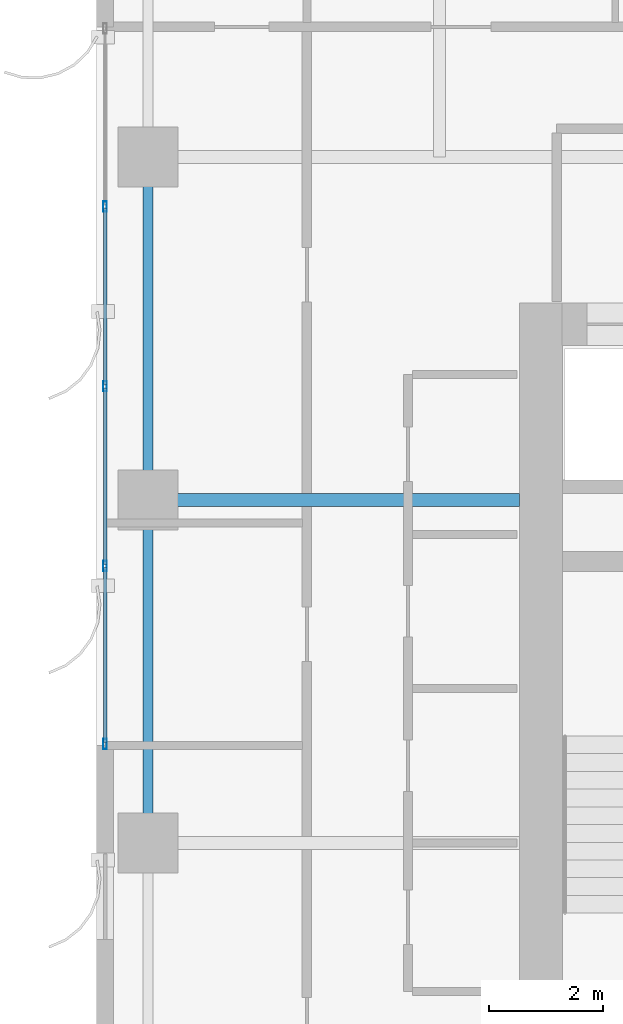
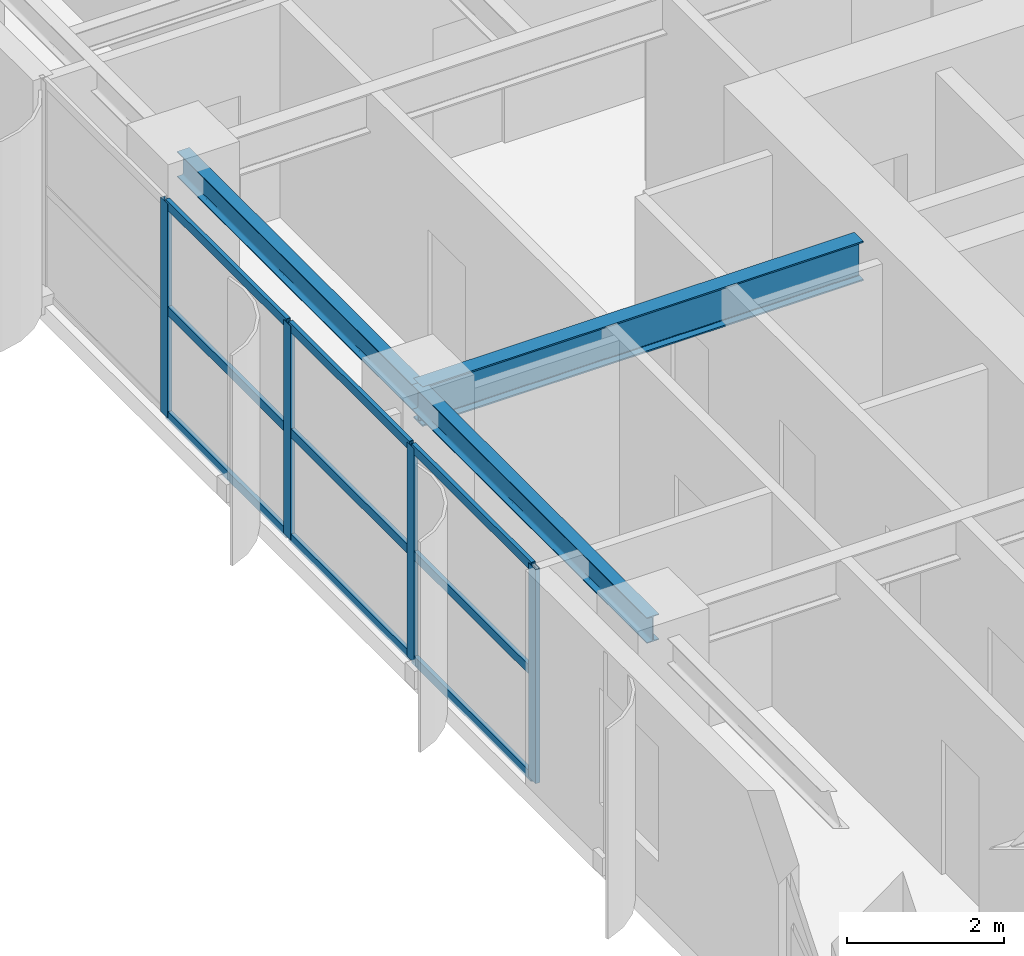
# One storey, part 4 of 25: 13 members, 3 beams, 1 element without a shape of its own.
"""IFC4 building model written with IfcOpenShell, lengths in metres."""

from ifc_helpers import new_model, si_unit, direction, frame, origin, origin_2d, place, context, subcontext, project, spatial, hollow_rectangle, i_section, extrude, source, transform, mapped, material, layer, layer_set, material_profile, profile_set, type_object, element, aggregate, save


model = new_model("IFC4")

# Units and contexts
model_context = context("Model", 3, precision=1e-05, world=origin(), true_north=direction((0.0, 1.0)))
body_context = subcontext(model_context, "Body", "Model", "MODEL_VIEW")
ifc_project = project(units=[si_unit("LENGTHUNIT", "METRE"), si_unit("AREAUNIT", "SQUARE_METRE"), si_unit("VOLUMEUNIT", "CUBIC_METRE"), si_unit("PLANEANGLEUNIT", "RADIAN"), si_unit("MASSUNIT", "GRAM", prefix="KILO")], contexts=[model_context])

# Site, building, storey
site_placement = place(None, origin())
site = spatial("IfcSite", under=ifc_project, at=site_placement, CompositionType="ELEMENT")
building_placement = place(site_placement, origin())
building = spatial("IfcBuilding", under=site, at=building_placement, Name="Khoralis Quay Care Tower", CompositionType="ELEMENT")
storey_placement = place(building_placement, frame((0.0, 0.0, 134.10009765625)))
storey = spatial("IfcBuildingStorey", under=building, at=storey_placement, Name="L35", CompositionType="ELEMENT", Elevation=134.10009765625)

# Beams
ifc_material_1 = material(Name="Steel S355", Category="steel")
ifc_material_profile_1 = material_profile(ifc_material_1, i_section(OverallWidth=0.179931640625, OverallDepth=0.39990234375, WebThickness=0.008544921875, FlangeThickness=0.013427734375, FilletRadius=0.02099609375, at=origin_2d()), Name="Steel S355")
ifc_profile_set_1 = profile_set([ifc_material_profile_1], Name="Steel S355")
beam_type_1 = type_object("IfcBeamType", Name="BM-IPE400", PredefinedType="SPANDREL", material=ifc_profile_set_1)
shared_shape_1 = source(origin(), body_context, "Body", "SweptSolid", [
    extrude(i_section(OverallWidth=0.179931640625, OverallDepth=0.39990234375, WebThickness=0.008544921875, FlangeThickness=0.013427734375, FilletRadius=0.02099609375, at=origin_2d()), origin(), (0.0, 0.0, 1.0), 6.0),
])
for number, where, z_axis, x_axis, name in (
    (1, (0.89990234375, 18.0, 3.139892578125), (0.0, 1.0, 0.0), (-1.0, 0.0, 0.0), "BM-TSP-L35-13"),
    (2, (0.89990234375, 24.0, 3.139892578125), (0.0, 1.0, 0.0), (-1.0, 0.0, 0.0), "BM-TSP-L35-14"),
):
    element("IfcBeam", number, at=place(storey_placement, frame(where, z_axis=z_axis, x_axis=x_axis)), inside=storey, type_object=beam_type_1, Name=name, PredefinedType="SPANDREL", context=body_context, shape_type="MappedRepresentation", body=[
        mapped(shared_shape_1, transform((0.0, 0.0, 0.0), scale=1.0)),
    ])
ifc_material_profile_2 = material_profile(ifc_material_1, i_section(OverallWidth=0.22998046875, OverallDepth=0.616943359375, WebThickness=0.01318359375, FlangeThickness=0.022216796875, FilletRadius=0.01806640625, at=origin_2d()), Name="Steel S355")
ifc_profile_set_2 = profile_set([ifc_material_profile_2], Name="Steel S355")
beam_type_2 = type_object("IfcBeamType", Name="BM-W610X140", PredefinedType="BEAM", material=ifc_profile_set_2)
shared_shape_2 = source(origin(), body_context, "Body", "SweptSolid", [
    extrude(i_section(OverallWidth=0.22998046875, OverallDepth=0.616943359375, WebThickness=0.01318359375, FlangeThickness=0.022216796875, FilletRadius=0.01806640625, at=origin_2d()), origin(), (0.0, 0.0, 1.0), 6.502197265625),
])
beam_placement = place(storey_placement, frame((0.89990234375, 24.0, 3.031494140625), z_axis=(1.0, 0.0, 0.0), x_axis=(0.0, 1.0, 0.0)))
element("IfcBeam", 3, at=beam_placement, inside=storey, type_object=beam_type_2, Name="BM-TGXW-L35-240", PredefinedType="BEAM", context=body_context, shape_type="MappedRepresentation", body=[
    mapped(shared_shape_2, transform((0.0, 0.0, 0.0), scale=1.0)),
])

# Curtain wall, members
ifc_material_2 = material(Name="Pale anodised aluminium", Category="aluminium")
ifc_layer = layer(ifc_material_2, 0.169921875)
ifc_layer_set = layer_set([ifc_layer], Name="Pale anodised aluminium")
curtain_wall_type = type_object("IfcCurtainWallType", Name="CW-SYS-Z2", PredefinedType="NOTDEFINED", material=ifc_layer_set)
curtain_wall_placement = place(storey_placement, origin())
curtain_wall = element("IfcCurtainWall", 4, at=curtain_wall_placement, inside=storey, type_object=curtain_wall_type, Name="L35 Unitised Curtain Wall CW-L35-P1-E15", PredefinedType="NOTDEFINED")
ifc_material_profile_3 = material_profile(ifc_material_2, hollow_rectangle(XDim=0.06005859375, YDim=0.139892578125, WallThickness=0.00390625, at=origin_2d()), Name="Pale anodised aluminium")
ifc_profile_set_3 = profile_set([ifc_material_profile_3], Name="Pale anodised aluminium")
member_type_1 = type_object("IfcMemberType", Name="CW-TRN-140", PredefinedType="USERDEFINED", material=ifc_profile_set_3)
shared_shape_3 = source(origin(), body_context, "Body", "SweptSolid", [
    extrude(hollow_rectangle(XDim=0.06005859375, YDim=0.139892578125, WallThickness=0.00390625, at=origin_2d()), origin(), (0.0, 0.0, 1.0), 3.054931640625),
])
member_1_placement = place(storey_placement, frame((0.14990234375, 22.81494140625, 0.02978515625), z_axis=(0.0, -1.0, 0.0), x_axis=(1.0, 0.0, 0.0)))
member_1 = element("IfcMember", 5, at=member_1_placement, type_object=member_type_1, Name="CW2 transom 4.1", ObjectType="TRANSOM", PredefinedType="USERDEFINED", context=body_context, shape_type="MappedRepresentation", body=[
    mapped(shared_shape_3, transform((0.0, 0.0, 0.0), scale=1.0)),
])
member_2_placement = place(storey_placement, frame((0.14990234375, 22.81494140625, 1.669921875), z_axis=(0.0, -1.0, 0.0), x_axis=(1.0, 0.0, 0.0)))
member_2 = element("IfcMember", 6, at=member_2_placement, type_object=member_type_1, Name="CW2 transom 4.2", ObjectType="TRANSOM", PredefinedType="USERDEFINED", context=body_context, shape_type="MappedRepresentation", body=[
    mapped(shared_shape_3, transform((0.0, 0.0, 0.0), scale=1.0)),
])
member_3_placement = place(storey_placement, frame((0.14990234375, 22.81494140625, 3.309814453125), z_axis=(0.0, -1.0, 0.0), x_axis=(1.0, 0.0, 0.0)))
member_3 = element("IfcMember", 7, at=member_3_placement, type_object=member_type_1, Name="CW2 transom 4.3", ObjectType="TRANSOM", PredefinedType="USERDEFINED", context=body_context, shape_type="MappedRepresentation", body=[
    mapped(shared_shape_3, transform((0.0, 0.0, 0.0), scale=1.0)),
])
shared_shape_4 = source(origin(), body_context, "Body", "SweptSolid", [
    extrude(hollow_rectangle(XDim=0.06005859375, YDim=0.139892578125, WallThickness=0.00390625, at=origin_2d()), origin(), (0.0, 0.0, 1.0), 3.0849609375),
])
member_4_placement = place(storey_placement, frame((0.14990234375, 29.10498046875, 0.02978515625), z_axis=(0.0, -1.0, 0.0), x_axis=(1.0, 0.0, 0.0)))
member_4 = element("IfcMember", 8, at=member_4_placement, type_object=member_type_1, Name="CW2 transom 2.1", ObjectType="TRANSOM", PredefinedType="USERDEFINED", context=body_context, shape_type="MappedRepresentation", body=[
    mapped(shared_shape_4, transform((0.0, 0.0, 0.0), scale=1.0)),
])
member_5_placement = place(storey_placement, frame((0.14990234375, 29.10498046875, 1.669921875), z_axis=(0.0, -1.0, 0.0), x_axis=(1.0, 0.0, 0.0)))
member_5 = element("IfcMember", 9, at=member_5_placement, type_object=member_type_1, Name="CW2 transom 2.2", ObjectType="TRANSOM", PredefinedType="USERDEFINED", context=body_context, shape_type="MappedRepresentation", body=[
    mapped(shared_shape_4, transform((0.0, 0.0, 0.0), scale=1.0)),
])
member_6_placement = place(storey_placement, frame((0.14990234375, 29.10498046875, 3.309814453125), z_axis=(0.0, -1.0, 0.0), x_axis=(1.0, 0.0, 0.0)))
member_6 = element("IfcMember", 10, at=member_6_placement, type_object=member_type_1, Name="CW2 transom 2.3", ObjectType="TRANSOM", PredefinedType="USERDEFINED", context=body_context, shape_type="MappedRepresentation", body=[
    mapped(shared_shape_4, transform((0.0, 0.0, 0.0), scale=1.0)),
])
member_7_placement = place(storey_placement, frame((0.14990234375, 25.9599609375, 0.02978515625), z_axis=(0.0, -1.0, 0.0), x_axis=(1.0, 0.0, 0.0)))
member_7 = element("IfcMember", 11, at=member_7_placement, type_object=member_type_1, Name="CW2 transom 3.1", ObjectType="TRANSOM", PredefinedType="USERDEFINED", context=body_context, shape_type="MappedRepresentation", body=[
    mapped(shared_shape_4, transform((0.0, 0.0, 0.0), scale=1.0)),
])
member_8_placement = place(storey_placement, frame((0.14990234375, 25.9599609375, 1.669921875), z_axis=(0.0, -1.0, 0.0), x_axis=(1.0, 0.0, 0.0)))
member_8 = element("IfcMember", 12, at=member_8_placement, type_object=member_type_1, Name="CW2 transom 3.2", ObjectType="TRANSOM", PredefinedType="USERDEFINED", context=body_context, shape_type="MappedRepresentation", body=[
    mapped(shared_shape_4, transform((0.0, 0.0, 0.0), scale=1.0)),
])
member_9_placement = place(storey_placement, frame((0.14990234375, 25.9599609375, 3.309814453125), z_axis=(0.0, -1.0, 0.0), x_axis=(1.0, 0.0, 0.0)))
member_9 = element("IfcMember", 13, at=member_9_placement, type_object=member_type_1, Name="CW2 transom 3.3", ObjectType="TRANSOM", PredefinedType="USERDEFINED", context=body_context, shape_type="MappedRepresentation", body=[
    mapped(shared_shape_4, transform((0.0, 0.0, 0.0), scale=1.0)),
])
ifc_material_profile_4 = material_profile(ifc_material_2, hollow_rectangle(XDim=0.06494140625, YDim=0.179931640625, WallThickness=0.00390625, at=origin_2d()), Name="Pale anodised aluminium")
ifc_profile_set_4 = profile_set([ifc_material_profile_4], Name="Pale anodised aluminium")
member_type_2 = type_object("IfcMemberType", Name="CW-MUL-180", PredefinedType="MULLION", material=ifc_profile_set_4)
shared_shape_5 = source(origin(), body_context, "Body", "SweptSolid", [
    extrude(hollow_rectangle(XDim=0.06494140625, YDim=0.179931640625, WallThickness=0.00390625, at=origin_2d()), origin(), (0.0, 0.0, 1.0), 3.33984375),
])
member_10_placement = place(storey_placement, frame((0.14990234375, 29.135009765625, 0.0), z_axis=(0.0, 0.0, 1.0), x_axis=(1.0, 0.0, 0.0)))
member_10 = element("IfcMember", 14, at=member_10_placement, type_object=member_type_2, Name="CW2 mullion 2", PredefinedType="MULLION", context=body_context, shape_type="MappedRepresentation", body=[
    mapped(shared_shape_5, transform((0.0, 0.0, 0.0), scale=1.0)),
])
member_11_placement = place(storey_placement, frame((0.14990234375, 25.989990234375, 0.0), z_axis=(0.0, 0.0, 1.0), x_axis=(1.0, 0.0, 0.0)))
member_11 = element("IfcMember", 15, at=member_11_placement, type_object=member_type_2, Name="CW2 mullion 3", PredefinedType="MULLION", context=body_context, shape_type="MappedRepresentation", body=[
    mapped(shared_shape_5, transform((0.0, 0.0, 0.0), scale=1.0)),
])
member_12_placement = place(storey_placement, frame((0.14990234375, 22.844970703125, 0.0), z_axis=(0.0, 0.0, 1.0), x_axis=(1.0, 0.0, 0.0)))
member_12 = element("IfcMember", 16, at=member_12_placement, type_object=member_type_2, Name="CW2 mullion 4", PredefinedType="MULLION", context=body_context, shape_type="MappedRepresentation", body=[
    mapped(shared_shape_5, transform((0.0, 0.0, 0.0), scale=1.0)),
])
member_13_placement = place(storey_placement, frame((0.14990234375, 19.72998046875, 0.0), z_axis=(0.0, 0.0, 1.0), x_axis=(1.0, 0.0, 0.0)))
member_13 = element("IfcMember", 17, at=member_13_placement, type_object=member_type_2, Name="CW2 mullion 5", PredefinedType="MULLION", context=body_context, shape_type="MappedRepresentation", body=[
    mapped(shared_shape_5, transform((0.0, 0.0, 0.0), scale=1.0)),
])
aggregate(curtain_wall, [member_10, member_11, member_12, member_13, member_4, member_5, member_6, member_7, member_8, member_9, member_1, member_2, member_3])

save(model, "model.ifc")
